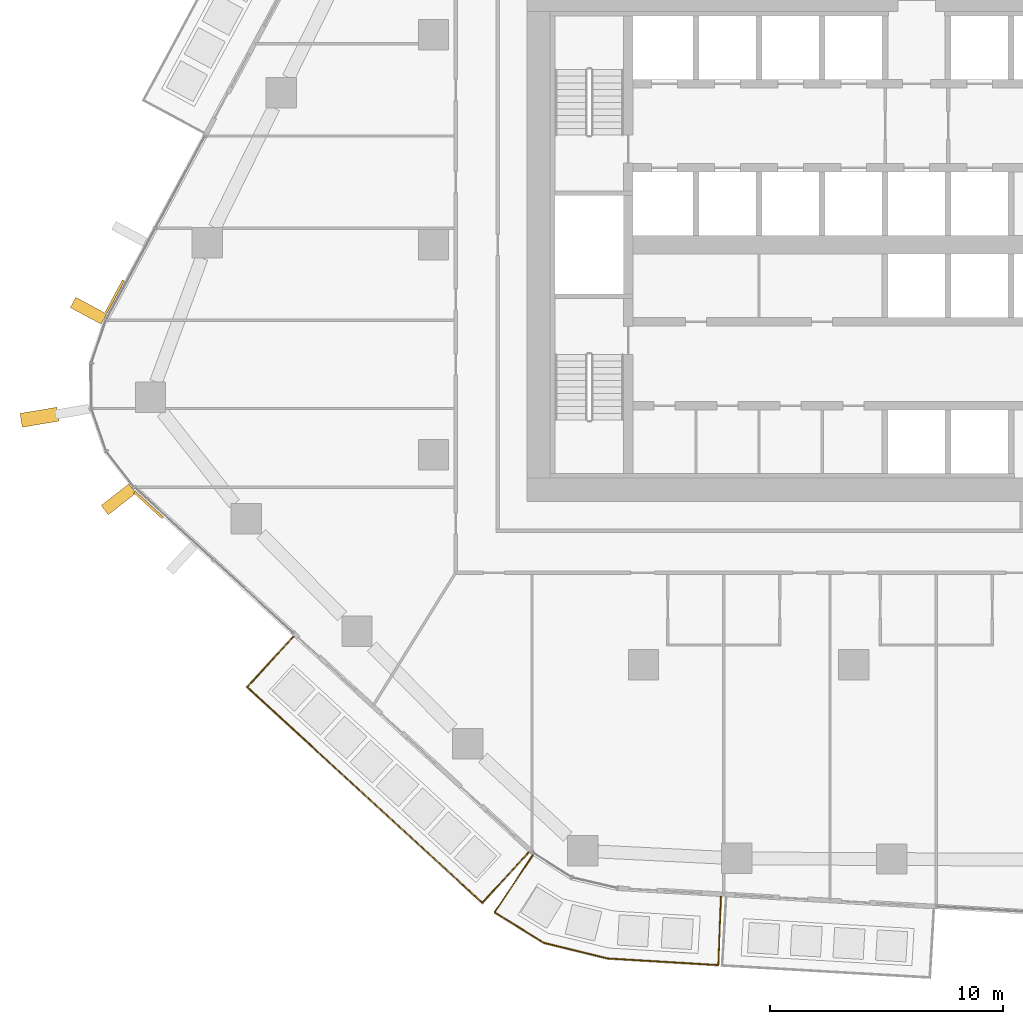
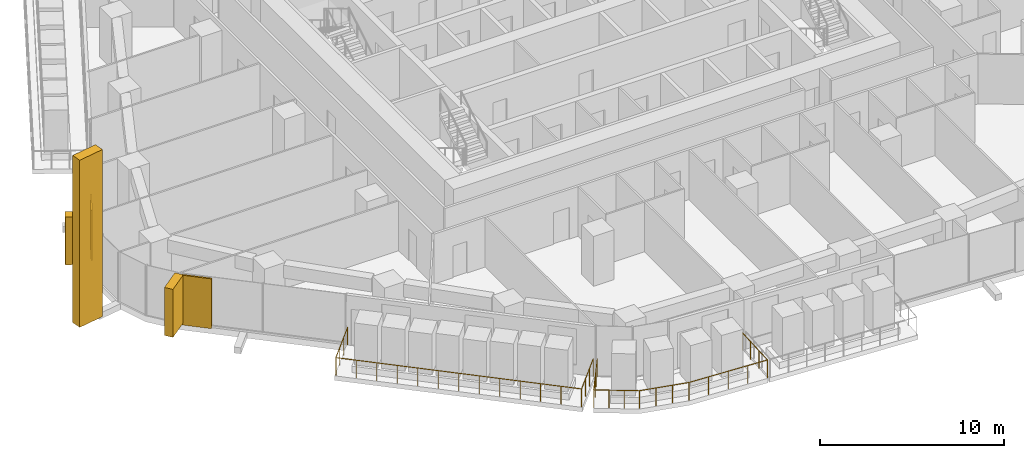
# One storey, part 19 of 24: 5 coverings, 2 railings, 3 elements without a shape of their own.
"""IFC4 building model written with IfcOpenShell, lengths in metres."""

from ifc_helpers import new_model, si_unit, direction, frame, origin, origin_2d, place, context, subcontext, project, spatial, rectangle, circle, extrude, material, layer, layer_set, material_profile, profile_set, type_object, element, aggregate, save


model = new_model("IFC4")

# Units and contexts
model_context = context("Model", 3, precision=1e-05, world=origin(), true_north=direction((0.0, 1.0)))
body_context = subcontext(model_context, "Body", "Model", "MODEL_VIEW")
ifc_project = project(units=[si_unit("LENGTHUNIT", "METRE"), si_unit("AREAUNIT", "SQUARE_METRE"), si_unit("VOLUMEUNIT", "CUBIC_METRE"), si_unit("PLANEANGLEUNIT", "RADIAN"), si_unit("MASSUNIT", "GRAM", prefix="KILO")], contexts=[model_context])

# Site, building, storey
site_placement = place(None, origin())
site = spatial("IfcSite", under=ifc_project, at=site_placement, CompositionType="ELEMENT")
building_placement = place(site_placement, origin())
building = spatial("IfcBuilding", under=site, at=building_placement, Name="Dongbaek Canopy Tower", CompositionType="ELEMENT")
storey_placement = place(building_placement, frame((0.0, 0.0, 117.39990234375)))
storey = spatial("IfcBuildingStorey", under=building, at=storey_placement, Name="L25", CompositionType="ELEMENT", Elevation=117.39990234375)

# Railings
ifc_material_1 = material(Name="Stainless steel", Category="steel")
railing_type = type_object("IfcRailingType", Name="Balcony balustrade 1200", PredefinedType="BALUSTRADE", material=ifc_material_1)
railing_1_placement = place(storey_placement, frame((-23.9921875, -16.784423828125, 0.0)))
element("IfcRailing", 1, at=railing_1_placement, inside=storey, type_object=railing_type, Name="Balcony guard L25 3", PredefinedType="BALUSTRADE", context=body_context, shape_type="SweptSolid", body=[
    extrude(circle(Radius=0.02392578125, at=origin_2d()), frame((0.0, 0.0, 1.17578125), z_axis=(-0.675972780122, -0.736926591008, 0.0), x_axis=(0.736926591008, -0.675972780122, 0.0)), (0.0, 0.0, 1.0), 2.93994140625),
    extrude(circle(Radius=0.02392578125, at=origin_2d()), frame((-1.9873046875, -2.16650390625, 1.17578125), z_axis=(0.736921293012, -0.675978555803, 0.0), x_axis=(0.675978555803, 0.736921293012, 0.0)), (0.0, 0.0, 1.0), 13.668701171875),
    extrude(circle(Radius=0.02392578125, at=origin_2d()), frame((8.08544921875, -11.40625, 1.17578125), z_axis=(0.675931414187, 0.736964533282, 0.0), x_axis=(-0.736964533282, 0.675931414187, 0.0)), (0.0, 0.0, 1.0), 2.940185546875),
    extrude(circle(Radius=0.02099609375, at=origin_2d()), origin(), (0.0, 0.0, 1.0), 1.15185546875),
    extrude(circle(Radius=0.02099609375, at=origin_2d()), frame((-0.662353515625, -0.72216796875, 0.0)), (0.0, 0.0, 1.0), 1.15185546875),
    extrude(circle(Radius=0.02099609375, at=origin_2d()), frame((-1.324951171875, -1.4443359375, 0.0)), (0.0, 0.0, 1.0), 1.15185546875),
    extrude(circle(Radius=0.02099609375, at=origin_2d()), frame((-1.9873046875, -2.16650390625, 0.0)), (0.0, 0.0, 1.0), 1.15185546875),
    extrude(circle(Radius=0.02099609375, at=origin_2d()), frame((-1.14794921875, -2.9365234375, 0.0)), (0.0, 0.0, 1.0), 1.15185546875),
    extrude(circle(Radius=0.02099609375, at=origin_2d()), frame((-0.30859375, -3.70654296875, 0.0)), (0.0, 0.0, 1.0), 1.15185546875),
    extrude(circle(Radius=0.02099609375, at=origin_2d()), frame((0.53076171875, -4.4765625, 0.0)), (0.0, 0.0, 1.0), 1.15185546875),
    extrude(circle(Radius=0.02099609375, at=origin_2d()), frame((1.370361328125, -5.246337890625, 0.0)), (0.0, 0.0, 1.0), 1.15185546875),
    extrude(circle(Radius=0.02099609375, at=origin_2d()), frame((2.209716796875, -6.016357421875, 0.0)), (0.0, 0.0, 1.0), 1.15185546875),
    extrude(circle(Radius=0.02099609375, at=origin_2d()), frame((3.049072265625, -6.786376953125, 0.0)), (0.0, 0.0, 1.0), 1.15185546875),
    extrude(circle(Radius=0.02099609375, at=origin_2d()), frame((3.888427734375, -7.556396484375, 0.0)), (0.0, 0.0, 1.0), 1.15185546875),
    extrude(circle(Radius=0.02099609375, at=origin_2d()), frame((4.727783203125, -8.326416015625, 0.0)), (0.0, 0.0, 1.0), 1.15185546875),
    extrude(circle(Radius=0.02099609375, at=origin_2d()), frame((5.5673828125, -9.09619140625, 0.0)), (0.0, 0.0, 1.0), 1.15185546875),
    extrude(circle(Radius=0.02099609375, at=origin_2d()), frame((6.40673828125, -9.8662109375, 0.0)), (0.0, 0.0, 1.0), 1.15185546875),
    extrude(circle(Radius=0.02099609375, at=origin_2d()), frame((7.24609375, -10.63623046875, 0.0)), (0.0, 0.0, 1.0), 1.15185546875),
    extrude(circle(Radius=0.02099609375, at=origin_2d()), frame((8.08544921875, -11.40625, 0.0)), (0.0, 0.0, 1.0), 1.15185546875),
    extrude(circle(Radius=0.02099609375, at=origin_2d()), frame((8.747802734375, -10.68408203125, 0.0)), (0.0, 0.0, 1.0), 1.15185546875),
    extrude(circle(Radius=0.02099609375, at=origin_2d()), frame((9.410400390625, -9.961669921875, 0.0)), (0.0, 0.0, 1.0), 1.15185546875),
    extrude(circle(Radius=0.02099609375, at=origin_2d()), frame((10.07275390625, -9.239501953125, 0.0)), (0.0, 0.0, 1.0), 1.15185546875),
])
railing_2_placement = place(storey_placement, frame((-13.745849609375, -26.157958984375, 0.0)))
element("IfcRailing", 2, at=railing_2_placement, inside=storey, type_object=railing_type, Name="Balcony guard L25 7", PredefinedType="BALUSTRADE", context=body_context, shape_type="SweptSolid", body=[
    extrude(circle(Radius=0.02392578125, at=origin_2d()), frame((0.0, 0.0, 1.17578125), z_axis=(-0.557704769947, -0.830039390377, 0.0), x_axis=(0.830039390377, -0.557704769947, 0.0)), (0.0, 0.0, 1.0), 2.9404296875),
    extrude(circle(Radius=0.02392578125, at=origin_2d()), frame((-1.639892578125, -2.440673828125, 1.17578125), z_axis=(0.850419443082, -0.526105284926, 0.0), x_axis=(0.526105284926, 0.850419443082, 0.0)), (0.0, 0.0, 1.0), 2.49462890625),
    extrude(circle(Radius=0.02392578125, at=origin_2d()), frame((0.481689453125, -3.753173828125, 1.17578125), z_axis=(0.97124705118, -0.238073865796, 0.0), x_axis=(0.238073865796, 0.97124705118, 0.0)), (0.0, 0.0, 1.0), 2.79541015625),
    extrude(circle(Radius=0.02392578125, at=origin_2d()), frame((3.19677734375, -4.418701171875, 1.17578125), z_axis=(0.998198652811, -0.059995412536, 0.0), x_axis=(0.059995412536, 0.998198652811, 0.0)), (0.0, 0.0, 1.0), 4.76513671875),
    extrude(circle(Radius=0.02392578125, at=origin_2d()), frame((7.953369140625, -4.70458984375, 1.17578125), z_axis=(0.037361732555, 0.999301806733, 0.0), x_axis=(-0.999301806733, 0.037361732555, 0.0)), (0.0, 0.0, 1.0), 2.9404296875),
    extrude(circle(Radius=0.02099609375, at=origin_2d()), origin(), (0.0, 0.0, 1.0), 1.15185546875),
    extrude(circle(Radius=0.02099609375, at=origin_2d()), frame((-0.546630859375, -0.8134765625, 0.0)), (0.0, 0.0, 1.0), 1.15185546875),
    extrude(circle(Radius=0.02099609375, at=origin_2d()), frame((-1.09326171875, -1.627197265625, 0.0)), (0.0, 0.0, 1.0), 1.15185546875),
    extrude(circle(Radius=0.02099609375, at=origin_2d()), frame((-1.639892578125, -2.440673828125, 0.0)), (0.0, 0.0, 1.0), 1.15185546875),
    extrude(circle(Radius=0.02099609375, at=origin_2d()), frame((-0.9326171875, -2.878173828125, 0.0)), (0.0, 0.0, 1.0), 1.15185546875),
    extrude(circle(Radius=0.02099609375, at=origin_2d()), frame((-0.2255859375, -3.315673828125, 0.0)), (0.0, 0.0, 1.0), 1.15185546875),
    extrude(circle(Radius=0.02099609375, at=origin_2d()), frame((0.481689453125, -3.753173828125, 0.0)), (0.0, 0.0, 1.0), 1.15185546875),
    extrude(circle(Radius=0.02099609375, at=origin_2d()), frame((1.38671875, -3.97509765625, 0.0)), (0.0, 0.0, 1.0), 1.15185546875),
    extrude(circle(Radius=0.02099609375, at=origin_2d()), frame((2.291748046875, -4.19677734375, 0.0)), (0.0, 0.0, 1.0), 1.15185546875),
    extrude(circle(Radius=0.02099609375, at=origin_2d()), frame((3.19677734375, -4.418701171875, 0.0)), (0.0, 0.0, 1.0), 1.15185546875),
    extrude(circle(Radius=0.02099609375, at=origin_2d()), frame((4.385986328125, -4.490234375, 0.0)), (0.0, 0.0, 1.0), 1.15185546875),
    extrude(circle(Radius=0.02099609375, at=origin_2d()), frame((5.5751953125, -4.5615234375, 0.0)), (0.0, 0.0, 1.0), 1.15185546875),
    extrude(circle(Radius=0.02099609375, at=origin_2d()), frame((6.76416015625, -4.633056640625, 0.0)), (0.0, 0.0, 1.0), 1.15185546875),
    extrude(circle(Radius=0.02099609375, at=origin_2d()), frame((7.953369140625, -4.70458984375, 0.0)), (0.0, 0.0, 1.0), 1.15185546875),
    extrude(circle(Radius=0.02099609375, at=origin_2d()), frame((7.989990234375, -3.72509765625, 0.0)), (0.0, 0.0, 1.0), 1.15185546875),
    extrude(circle(Radius=0.02099609375, at=origin_2d()), frame((8.026611328125, -2.74560546875, 0.0)), (0.0, 0.0, 1.0), 1.15185546875),
    extrude(circle(Radius=0.02099609375, at=origin_2d()), frame((8.063232421875, -1.76611328125, 0.0)), (0.0, 0.0, 1.0), 1.15185546875),
])

# Curtain wall, covering
ifc_material_2 = material(Name="Aluminium 6063-T6 pale anodised", Category="aluminium")
ifc_layer_1 = layer(ifc_material_2, 0.199951171875)
ifc_layer_set_1 = layer_set([ifc_layer_1], Name="CW-1 unitised tower curtain wall")
curtain_wall_type = type_object("IfcCurtainWallType", Name="CW-1 unitised tower curtain wall", PredefinedType="NOTDEFINED", material=ifc_layer_set_1)
curtain_wall_1_placement = place(storey_placement, origin())
curtain_wall_1 = element("IfcCurtainWall", 3, at=curtain_wall_1_placement, inside=storey, type_object=curtain_wall_type, Name="CW-1 curtain wall K3.1", PredefinedType="NOTDEFINED")
ifc_material_3 = material(Name="Aluminium 6063-T6 pale metal fin", Category="aluminium")
ifc_material_profile_1 = material_profile(ifc_material_3, rectangle(XDim=1.60009765625, YDim=0.60009765625, at=origin_2d()), Name="Corner fin CN1 600 x 1600 pale metal")
ifc_profile_set_1 = profile_set([ifc_material_profile_1], Name="Aluminium 6063-T6 pale metal fin")
covering_type_1 = type_object("IfcCoveringType", Name="Corner fin CN1 600 x 1600 pale metal", PredefinedType="CLADDING", material=ifc_profile_set_1)
covering_1_placement = place(storey_placement, frame((-34.876220703125, -7.3896484375, -0.199951171875), z_axis=(0.0, 0.0, 1.0), x_axis=(-0.985975946341, -0.16688748676, 0.0)))
covering_1 = element("IfcCovering", 4, at=covering_1_placement, type_object=covering_type_1, Name="Corner fin L25 L27 K3", PredefinedType="CLADDING", context=body_context, shape_type="SweptSolid", body=[
    extrude(rectangle(XDim=1.60009765625, YDim=0.60009765625, at=origin_2d()), origin(), (0.0, 0.0, 1.0), 11.080078125),
])

curtain_wall_2_placement = place(storey_placement, origin())
curtain_wall_2 = element("IfcCurtainWall", 5, at=curtain_wall_2_placement, inside=storey, type_object=curtain_wall_type, Name="CW-1 curtain wall F2.1", PredefinedType="NOTDEFINED")
ifc_material_4 = material(Name="Perforated aluminium 6063-T6 pale metal screen", Category="aluminium")
ifc_layer_2 = layer(ifc_material_4, 0.10009765625)
ifc_layer_set_2 = layer_set([ifc_layer_2], Name="Facet screen FS1 100 pale metal")
covering_type_2 = type_object("IfcCoveringType", Name="Facet screen FS1 100 pale metal", PredefinedType="CLADDING", material=ifc_layer_set_2)
covering_2_placement = place(storey_placement, frame((-31.65576171875, -2.218017578125, 0.0), z_axis=(0.0, 0.0, 1.0), x_axis=(-0.473408836533, -0.88084281997, 0.0)))
covering_2 = element("IfcCovering", 6, at=covering_2_placement, type_object=covering_type_2, Name="Facet screen L25 F2", PredefinedType="CLADDING", context=body_context, shape_type="SweptSolid", body=[
    extrude(rectangle(XDim=1.558837890625, YDim=0.10009765625, at=origin_2d()), origin(), (0.0, 0.0, 1.0), 3.300048828125),
])

curtain_wall_3_placement = place(storey_placement, origin())
curtain_wall_3 = element("IfcCurtainWall", 7, at=curtain_wall_3_placement, inside=storey, type_object=curtain_wall_type, Name="CW-1 curtain wall F3.1", PredefinedType="NOTDEFINED")
covering_3_placement = place(storey_placement, frame((-30.202392578125, -11.150146484375, 0.0), z_axis=(0.0, 0.0, 1.0), x_axis=(0.736919958143, -0.675980011014, 0.0)))
covering_3 = element("IfcCovering", 8, at=covering_3_placement, type_object=covering_type_2, Name="Facet screen L25 F3", PredefinedType="CLADDING", context=body_context, shape_type="SweptSolid", body=[
    extrude(rectangle(XDim=1.65087890625, YDim=0.10009765625, at=origin_2d()), origin(), (0.0, 0.0, 1.0), 3.300048828125),
])
aggregate(curtain_wall_3, [covering_3])

# Covering
ifc_material_5 = material(Name="Aluminium 6063-T6 pale metal fin", Category="aluminium")
ifc_material_profile_2 = material_profile(ifc_material_5, rectangle(XDim=1.5, YDim=0.5, at=origin_2d()), Name="Fin FN1 500 x 1500 pale metal")
ifc_profile_set_2 = profile_set([ifc_material_profile_2], Name="Aluminium 6063-T6 pale metal fin")
covering_type_3 = type_object("IfcCoveringType", Name="Fin FN1 500 x 1500 pale metal", PredefinedType="CLADDING", material=ifc_profile_set_2)
covering_4_placement = place(storey_placement, frame((-32.7822265625, -2.82666015625, 0.1201171875), z_axis=(0.0, 0.0, 1.0), x_axis=(-0.880842802858, 0.473408868372, 0.0)))
covering_4 = element("IfcCovering", 9, at=covering_4_placement, type_object=covering_type_3, Name="Fin F2.1.3", PredefinedType="CLADDING", context=body_context, shape_type="SweptSolid", body=[
    extrude(rectangle(XDim=1.5, YDim=0.5, at=origin_2d()), origin(), (0.0, 0.0, 1.0), 3.179931640625),
])

aggregate(curtain_wall_2, [covering_4, covering_2])

covering_5_placement = place(storey_placement, frame((-31.492431640625, -10.90625, 0.1201171875), z_axis=(0.0, 0.0, 1.0), x_axis=(-0.787967884973, -0.615716340737, 0.0)))
covering_5 = element("IfcCovering", 10, at=covering_5_placement, type_object=covering_type_3, Name="Fin K3.1.5", PredefinedType="CLADDING", context=body_context, shape_type="SweptSolid", body=[
    extrude(rectangle(XDim=1.5, YDim=0.5, at=origin_2d()), origin(), (0.0, 0.0, 1.0), 3.179931640625),
])

aggregate(curtain_wall_1, [covering_5, covering_1])

save(model, "model.ifc")
